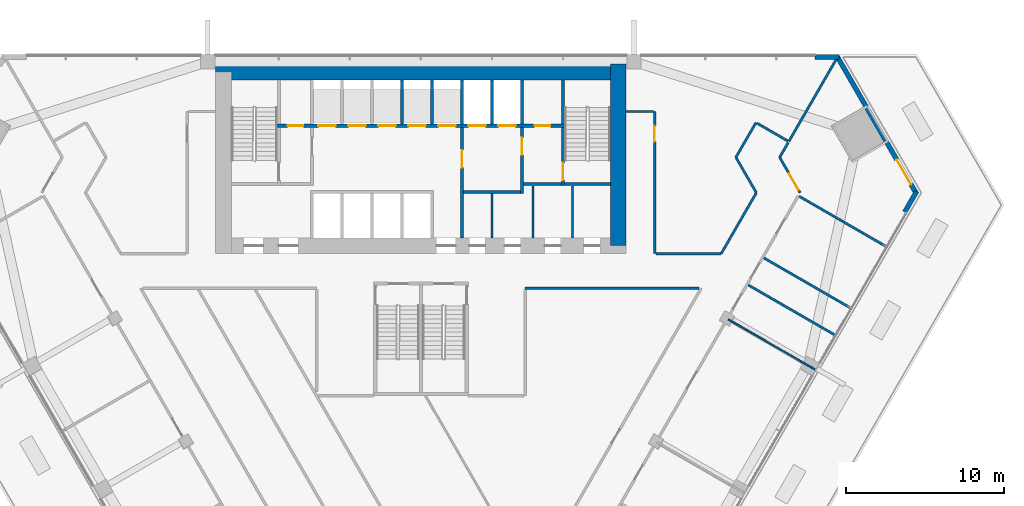
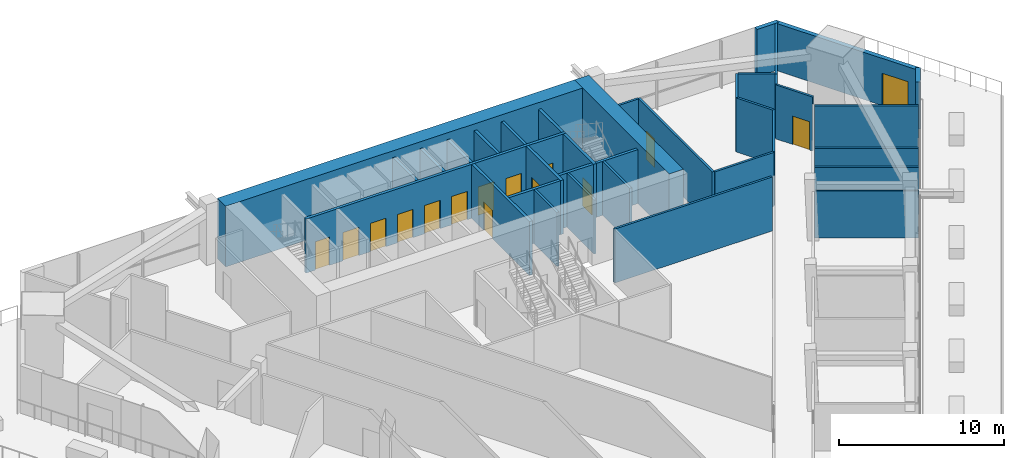
# One storey, part 11 of 15: 36 walls, 15 doors, 15 openings.
"""IFC4 building model written with IfcOpenShell, lengths in metres."""

import ifcopenshell
import ifcopenshell.guid

model = None  # the IFC model being written
_history = None  # IfcOwnerHistory: only IFC2X3 demands one
_inside = {}  # id of a spatial element -> (the spatial element, [elements in it])
_under = {}  # id of a project, library or spatial element -> (it, [spatial elements below it])
_declared = {}  # id of a project -> (the project, [libraries it declares])
_typed = {}  # id of a type object -> (the type object, [elements of that type])
_made_of = {}  # id of a material, layer set ... -> (it, [elements and type objects made of it])


def new_model(schema):
    """Start an empty IFC model of exactly this schema.

    Asked for "IFC4X3", IfcOpenShell would pick the latest addendum, in which some entities
    have other attributes; the version numbers below select the first issue.
    IFC2X3 requires an IfcOwnerHistory on every rooted entity: one is made here for all.
    """
    global model, _history
    if schema == "IFC4X3":
        model = ifcopenshell.file(schema_version=(4, 3, 0, 0))
    else:
        model = ifcopenshell.file(schema=schema)
    _inside.clear()
    _under.clear()
    _declared.clear()
    _typed.clear()
    _made_of.clear()
    _history = None
    if model.schema == "IFC2X3":
        org = make("IfcOrganization", Name="unknown")
        user = make(
            "IfcPersonAndOrganization",
            ThePerson=make("IfcPerson", FamilyName="unknown"),
            TheOrganization=org,
        )
        app = make(
            "IfcApplication",
            ApplicationDeveloper=org,
            Version="unknown",
            ApplicationFullName="unknown",
            ApplicationIdentifier="unknown",
        )
        _history = make(
            "IfcOwnerHistory",
            OwningUser=user,
            OwningApplication=app,
            ChangeAction="ADDED",
            CreationDate=0,
        )
    return model


def make(cls, **values):
    """One entity of the class cls with the attributes given. An attribute that is None is left unset."""
    return model.create_entity(
        cls, **{name: value for name, value in values.items() if value is not None}
    )


def rooted(cls, **values):
    """An entity with a GlobalId (a new one), such as an element, a storey or a relation."""
    return make(cls, GlobalId=ifcopenshell.guid.new(), OwnerHistory=_history, **values)


def si_unit(unit_type, name, prefix=None):
    """IfcSIUnit, for example si_unit("LENGTHUNIT", "METRE", prefix="MILLI")."""
    return make("IfcSIUnit", UnitType=unit_type, Prefix=prefix, Name=name)


def assignment(units):
    """IfcUnitAssignment: the units of a project."""
    return None if units is None else make("IfcUnitAssignment", Units=units)


def point(xyz):
    """IfcCartesianPoint."""
    return None if xyz is None else make("IfcCartesianPoint", Coordinates=xyz)


def direction(xyz):
    """IfcDirection."""
    return None if xyz is None else make("IfcDirection", DirectionRatios=xyz)


def frame(location, z_axis=None, x_axis=None):
    """IfcAxis2Placement3D, a coordinate frame: its origin and axes. An axis left out is left unset."""
    return make(
        "IfcAxis2Placement3D",
        Location=point(location),
        Axis=direction(z_axis),
        RefDirection=direction(x_axis),
    )


def frame_2d(location, x_axis=None):
    """IfcAxis2Placement2D, a coordinate frame in the plane: its origin and x axis."""
    return make(
        "IfcAxis2Placement2D", Location=point(location), RefDirection=direction(x_axis)
    )


def origin():
    """The frame at (0, 0, 0) with its axes left unset."""
    return frame((0.0, 0.0, 0.0))


def place(relative_to, where):
    """IfcLocalPlacement: puts the frame where relative to a parent placement (None: the world)."""
    return make(
        "IfcLocalPlacement", PlacementRelTo=relative_to, RelativePlacement=where
    )


def context(
    kind, dimensions, precision=None, world=None, true_north=None, identifier=None
):
    """IfcGeometricRepresentationContext, for example the 3D "Model" context."""
    return make(
        "IfcGeometricRepresentationContext",
        ContextIdentifier=identifier,
        ContextType=kind,
        CoordinateSpaceDimension=dimensions,
        Precision=precision,
        WorldCoordinateSystem=world,
        TrueNorth=true_north,
    )


def subcontext(parent, identifier, kind, view, scale=None):
    """IfcGeometricRepresentationSubContext, for example "Body" below "Model"."""
    return make(
        "IfcGeometricRepresentationSubContext",
        ContextIdentifier=identifier,
        ContextType=kind,
        ParentContext=parent,
        TargetScale=scale,
        TargetView=view,
    )


def project(units=None, contexts=None):
    """IfcProject with its units and contexts."""
    return rooted(
        "IfcProject",
        Name="project",
        RepresentationContexts=contexts,
        UnitsInContext=assignment(units),
    )


def spatial(cls, under=None, at=None, **own):
    """A site, building, storey or space (cls), placed at a placement, below another one or the project."""
    s = rooted(cls, ObjectPlacement=at, **own)
    if under is not None:
        _under.setdefault(under.id(), (under, []))[1].append(s)
    return s


def profile(cls, at=None, kind="AREA", **sizes):
    """A parametric profile (cls). Its sizes go by their IFC names, for example OverallWidth=200.0."""
    return make(cls, ProfileType=kind, Position=at, **sizes)


def rectangle(**sizes):
    """IfcRectangleProfileDef."""
    return profile("IfcRectangleProfileDef", **sizes)


def extrude(swept, where, along, depth):
    """IfcExtrudedAreaSolid: the profile swept, set in the frame where, extruded along a direction by depth."""
    return make(
        "IfcExtrudedAreaSolid",
        SweptArea=swept,
        Position=where,
        ExtrudedDirection=direction(along),
        Depth=depth,
    )


def shape(context_of_items, identifier, shape_type, items):
    """IfcShapeRepresentation: the items that make up one representation, for example the "Body"."""
    return make(
        "IfcShapeRepresentation",
        ContextOfItems=context_of_items,
        RepresentationIdentifier=identifier,
        RepresentationType=shape_type,
        Items=items,
    )


def material(Name=None, Category=None):
    """IfcMaterial."""
    return make("IfcMaterial", Name=Name, Category=Category)


def layer(
    of_material, thickness, ventilated=None, Name=None, Category=None, Priority=None
):
    """IfcMaterialLayer: one layer of a wall or slab, of a material (None: an air gap)."""
    return make(
        "IfcMaterialLayer",
        Material=of_material,
        LayerThickness=thickness,
        IsVentilated=ventilated,
        Name=Name,
        Category=Category,
        Priority=Priority,
    )


def layer_set(layers, Name=None):
    """IfcMaterialLayerSet."""
    return make("IfcMaterialLayerSet", MaterialLayers=layers, LayerSetName=Name)


def made_of(thing, what):
    """Note that an element or type object is made of a material, layer set ...; save() writes the relation."""
    if what is not None:
        _made_of.setdefault(what.id(), (what, []))[1].append(thing)
    return thing


def type_object(cls, material=None, **own):
    """A type object (cls), such as IfcWallType, which elements share."""
    return made_of(rooted(cls, **own), material)


def element(
    cls,
    number,
    at=None,
    inside=None,
    cuts=None,
    type_object=None,
    material=None,
    context=None,
    identifier="Body",
    shape_type=None,
    held_by="IfcProductDefinitionShape",
    body=None,
    shapes=None,
    **own,
):
    """One element of the class cls, such as IfcWall. Its Tag is "e" and its number.

    at: its placement. inside: the storey or other place that contains it. cuts: it is an
    opening in that element (IfcRelVoidsElement). A single representation is given by context,
    identifier, shape_type and body (its items); several are given by shapes. held_by: the class
    of the entity that holds the representations. save() writes the other relations.
    """
    e = rooted(cls, Tag="e%d" % number, ObjectPlacement=at, **own)
    if body is not None:
        shapes = [shape(context, identifier, shape_type, body)]
    if shapes is not None:
        e.Representation = make(held_by, Representations=shapes)
    if inside is not None:
        _inside.setdefault(inside.id(), (inside, []))[1].append(e)
    if cuts is not None:
        rooted(
            "IfcRelVoidsElement", RelatingBuildingElement=cuts, RelatedOpeningElement=e
        )
    if type_object is not None:
        _typed.setdefault(type_object.id(), (type_object, []))[1].append(e)
    return made_of(e, material)


def fill(opening, filler):
    """IfcRelFillsElement: the door or window that sits in an opening."""
    return rooted(
        "IfcRelFillsElement",
        RelatingOpeningElement=opening,
        RelatedBuildingElement=filler,
    )


def aggregate(whole, parts):
    """IfcRelAggregates: a whole, such as a stair, and the parts it consists of."""
    return rooted("IfcRelAggregates", RelatingObject=whole, RelatedObjects=parts)


def save(model, path):
    """Write the relations noted so far, then the file.

    IfcRelAggregates (storeys below a building ...), IfcRelContainedInSpatialStructure (elements
    in a storey), IfcRelDefinesByType, IfcRelAssociatesMaterial and IfcRelDeclares: one each for
    every whole, place, type object, material and project.
    """
    for whole, parts in _under.values():
        aggregate(whole, parts)
    for where, things in _inside.values():
        rooted(
            "IfcRelContainedInSpatialStructure",
            RelatedElements=things,
            RelatingStructure=where,
        )
    for kind, things in _typed.values():
        rooted("IfcRelDefinesByType", RelatedObjects=things, RelatingType=kind)
    for what, things in _made_of.values():
        rooted("IfcRelAssociatesMaterial", RelatedObjects=things, RelatingMaterial=what)
    for by, libraries in _declared.values():
        rooted("IfcRelDeclares", RelatingContext=by, RelatedDefinitions=libraries)
    model.write(path)


model = new_model("IFC4")

# Units and contexts
model_context = context("Model", 3, precision=1e-05, world=origin(), true_north=direction((0.0, 1.0)))
body_context = subcontext(model_context, "Body", "Model", "MODEL_VIEW")
ifc_project = project(units=[si_unit("LENGTHUNIT", "METRE"), si_unit("AREAUNIT", "SQUARE_METRE"), si_unit("VOLUMEUNIT", "CUBIC_METRE"), si_unit("PLANEANGLEUNIT", "RADIAN"), si_unit("MASSUNIT", "GRAM", prefix="KILO")], contexts=[model_context])

# Site, building, storey
site_placement = place(None, origin())
site = spatial("IfcSite", under=ifc_project, at=site_placement, CompositionType="ELEMENT")
building_placement = place(site_placement, origin())
building = spatial("IfcBuilding", under=site, at=building_placement, Name="Altiplano Prism Tower", CompositionType="ELEMENT")
storey_placement = place(building_placement, frame((0.0, 0.0, 22.5)))
storey = spatial("IfcBuildingStorey", under=building, at=storey_placement, Name="L04", CompositionType="ELEMENT", Elevation=22.5)

# Walls
ifc_material_1 = material(Name="Concrete C70/85", Category="concrete")
ifc_layer_1 = layer(ifc_material_1, 1.0)
ifc_layer_set_1 = layer_set([ifc_layer_1], Name="Concrete C70/85")
wall_type_1 = type_object("IfcWallType", Name="Core wall 1000", PredefinedType="SHEAR", material=ifc_layer_set_1)
wall_1_placement = place(storey_placement, frame((97.5, 92.89990234375, 0.0), z_axis=(0.0, 0.0, 1.0), x_axis=(0.0, 1.0, 0.0)))
element("IfcWall", 1, at=wall_1_placement, inside=storey, type_object=wall_type_1, Name="Core wall E L04", PredefinedType="SHEAR", context=body_context, shape_type="SweptSolid", body=[
    extrude(rectangle(XDim=11.5, YDim=1.0, at=frame_2d((5.75, 0.0))), origin(), (0.0, 0.0, 1.0), 4.5),
])
wall_2_placement = place(storey_placement, frame((97.5, 103.89990234375, 0.0), z_axis=(0.0, 0.0, 1.0), x_axis=(-1.0, 0.0, 0.0)))
element("IfcWall", 2, at=wall_2_placement, inside=storey, type_object=wall_type_1, Name="Core wall N L04", PredefinedType="SHEAR", context=body_context, shape_type="SweptSolid", body=[
    extrude(rectangle(XDim=25.5, YDim=1.0, at=frame_2d((12.75, 0.0))), origin(), (0.0, 0.0, 1.0), 4.5),
])
ifc_material_2 = material(Name="Plasterboard on steel stud", Category="steel")
ifc_layer_2 = layer(ifc_material_2, 0.10009765625)
ifc_layer_set_2 = layer_set([ifc_layer_2], Name="Plasterboard on steel stud")
wall_type_2 = type_object("IfcWallType", Name="Partition 100 wet", PredefinedType="PARTITIONING", material=ifc_layer_set_2)
wall_3_placement = place(storey_placement, frame((109.949951171875, 85.068115234375, 0.0), z_axis=(0.0, 0.0, 1.0), x_axis=(-0.866015887322, 0.500016482634, 0.0)))
element("IfcWall", 3, at=wall_3_placement, inside=storey, type_object=wall_type_2, Name="Partition P03 L04 042", PredefinedType="PARTITIONING", context=body_context, shape_type="SweptSolid", body=[
    extrude(rectangle(XDim=6.324951171875, YDim=0.10009765625, at=frame_2d((3.16259765625, 0.0))), origin(), (0.0, 0.0, 1.0), 3.5),
])

# Wall, opening, door
ifc_layer_3 = layer(ifc_material_2, 0.14990234375)
ifc_layer_set_3 = layer_set([ifc_layer_3], Name="Plasterboard on steel stud")
wall_type_3 = type_object("IfcWallType", Name="Partition 150 corridor", PredefinedType="PARTITIONING", material=ifc_layer_set_3)
wall_4_placement = place(storey_placement, frame((109.019287109375, 96.25634765625, 0.0), z_axis=(0.0, 0.0, 1.0), x_axis=(-0.499939993713, 0.866060045659, 0.0)))
wall_4 = element("IfcWall", 4, at=wall_4_placement, inside=storey, type_object=wall_type_3, Name="Partition P06 L04 006", PredefinedType="PARTITIONING", context=body_context, shape_type="SweptSolid", body=[
    extrude(rectangle(XDim=2.590576171875, YDim=0.14990234375, at=frame_2d((1.29541015625, 0.0))), origin(), (0.0, 0.0, 1.0), 4.0),
])
opening_1_placement = place(wall_4_placement, frame((0.199951171875, 0.0, 0.0)))
opening_1 = element("IfcOpeningElement", 5, at=opening_1_placement, cuts=wall_4, Name="Opening D0127", PredefinedType="OPENING", context=body_context, shape_type="SweptSolid", body=[
    extrude(rectangle(XDim=1.199951171875, YDim=2.10009765625, at=frame_2d((0.60009765625, 1.050048828125))), frame((0.0, 0.08544921875, 0.0), z_axis=(0.0, -1.0, 0.0), x_axis=(1.0, 0.0, 0.0)), (0.0, 0.0, 1.0), 0.1708984375),
])
ifc_material_3 = material(Name="Timber", Category="wood")
door_type_1 = type_object("IfcDoorType", Name="Shared room door 1200 x 2100", OperationType="NOTDEFINED", PredefinedType="NOTDEFINED", material=ifc_material_3)
door_1_placement = place(opening_1_placement, origin())
door_1 = element("IfcDoor", 6, at=door_1_placement, inside=storey, type_object=door_type_1, Name="Door D0127", OperationType="SINGLE_SWING_RIGHT", OverallHeight=2.10009765625, OverallWidth=1.199951171875, PredefinedType="NOTDEFINED", context=body_context, shape_type="SweptSolid", body=[
    extrude(rectangle(XDim=1.199951171875, YDim=2.10009765625, at=frame_2d((0.60009765625, 1.050048828125))), frame((0.0, 0.02490234375, 0.0), z_axis=(0.0, -1.0, 0.0), x_axis=(1.0, 0.0, 0.0)), (0.0, 0.0, 1.0), 0.050048828125),
])
fill(opening_1, door_1)

# Walls
wall_5_placement = place(storey_placement, frame((107.72412109375, 98.5, 0.0), z_axis=(0.0, 0.0, 1.0), x_axis=(0.500002782129, 0.866023797515, 0.0)))
element("IfcWall", 7, at=wall_5_placement, inside=storey, type_object=wall_type_3, Name="Partition P06 L04 007", PredefinedType="PARTITIONING", context=body_context, shape_type="SweptSolid", body=[
    extrude(rectangle(XDim=1.08056640625, YDim=0.14990234375, at=frame_2d((0.540283203125, 0.0))), origin(), (0.0, 0.0, 1.0), 4.0),
])
wall_6_placement = place(storey_placement, frame((91.60107421875, 90.198974609375, 0.0), z_axis=(0.0, 0.0, 1.0), x_axis=(1.0, 0.0, 0.0)))
element("IfcWall", 8, at=wall_6_placement, inside=storey, type_object=wall_type_3, Name="Partition P06 L04 010", PredefinedType="PARTITIONING", context=body_context, shape_type="SweptSolid", body=[
    extrude(rectangle(XDim=11.018798828125, YDim=0.14990234375, at=frame_2d((5.50927734375, 0.0))), origin(), (0.0, 0.0, 1.0), 4.0),
])
wall_7_placement = place(storey_placement, frame((108.23681640625, 99.538330078125, 0.0), z_axis=(0.0, 0.0, 1.0), x_axis=(-0.866200031611, 0.499697413678, 0.0)))
element("IfcWall", 9, at=wall_7_placement, inside=storey, type_object=wall_type_3, Name="Partition P06 L04 015", PredefinedType="PARTITIONING", context=body_context, shape_type="SweptSolid", body=[
    extrude(rectangle(XDim=2.2509765625, YDim=0.14990234375, at=frame_2d((1.12548828125, 0.0))), origin(), (0.0, 0.0, 1.0), 4.0),
])
wall_8_placement = place(storey_placement, frame((106.22216796875, 100.700439453125, 0.0), z_axis=(0.0, 0.0, 1.0), x_axis=(-0.500024647231, -0.866011173231, 0.0)))
element("IfcWall", 10, at=wall_8_placement, inside=storey, type_object=wall_type_3, Name="Partition P06 L04 016", PredefinedType="PARTITIONING", context=body_context, shape_type="SweptSolid", body=[
    extrude(rectangle(XDim=2.540771484375, YDim=0.14990234375, at=frame_2d((1.2705078125, 0.0))), origin(), (0.0, 0.0, 1.0), 4.0),
])
wall_9_placement = place(storey_placement, frame((104.95166015625, 98.5, 0.0), z_axis=(0.0, 0.0, 1.0), x_axis=(0.500010673919, -0.866019241107, 0.0)))
element("IfcWall", 11, at=wall_9_placement, inside=storey, type_object=wall_type_3, Name="Partition P06 L04 017", PredefinedType="PARTITIONING", context=body_context, shape_type="SweptSolid", body=[
    extrude(rectangle(XDim=2.5908203125, YDim=0.14990234375, at=frame_2d((1.29541015625, 0.0))), origin(), (0.0, 0.0, 1.0), 4.0),
])
wall_10_placement = place(storey_placement, frame((106.2470703125, 96.25634765625, 0.0), z_axis=(0.0, 0.0, 1.0), x_axis=(-0.50001992892, -0.866013897511, 0.0)))
element("IfcWall", 12, at=wall_10_placement, inside=storey, type_object=wall_type_3, Name="Partition P06 L04 018", PredefinedType="PARTITIONING", context=body_context, shape_type="SweptSolid", body=[
    extrude(rectangle(XDim=4.451904296875, YDim=0.14990234375, at=frame_2d((2.22607421875, 0.0))), origin(), (0.0, 0.0, 1.0), 4.0),
])
wall_11_placement = place(storey_placement, frame((104.02099609375, 92.40087890625, 0.0), z_axis=(0.0, 0.0, 1.0), x_axis=(-1.0, 0.0, 0.0)))
element("IfcWall", 13, at=wall_11_placement, inside=storey, type_object=wall_type_3, Name="Partition P06 L04 019", PredefinedType="PARTITIONING", context=body_context, shape_type="SweptSolid", body=[
    extrude(rectangle(XDim=4.14501953125, YDim=0.14990234375, at=frame_2d((2.072509765625, 0.0))), origin(), (0.0, 0.0, 1.0), 4.0),
])

# Wall, opening, door
wall_12_placement = place(storey_placement, frame((99.801025390625, 92.40087890625, 0.0), z_axis=(0.0, 0.0, 1.0), x_axis=(0.0, 1.0, 0.0)))
wall_12 = element("IfcWall", 14, at=wall_12_placement, inside=storey, type_object=wall_type_3, Name="Partition P06 L04 020", PredefinedType="PARTITIONING", context=body_context, shape_type="SweptSolid", body=[
    extrude(rectangle(XDim=8.999267578125, YDim=0.14990234375, at=frame_2d((4.49951171875, 0.0))), origin(), (0.0, 0.0, 1.0), 4.0),
])
opening_2_placement = place(wall_12_placement, frame((7.097900390625, 0.0, 0.0)))
opening_2 = element("IfcOpeningElement", 15, at=opening_2_placement, cuts=wall_12, Name="Opening D0131", PredefinedType="OPENING", context=body_context, shape_type="SweptSolid", body=[
    extrude(rectangle(XDim=1.0, YDim=2.10009765625, at=frame_2d((0.5, 1.050048828125))), frame((0.0, 0.08544921875, 0.0), z_axis=(0.0, -1.0, 0.0), x_axis=(1.0, 0.0, 0.0)), (0.0, 0.0, 1.0), 0.1708984375),
])
door_type_2 = type_object("IfcDoorType", Name="Store door 1000 x 2100", OperationType="NOTDEFINED", PredefinedType="NOTDEFINED", material=ifc_material_3)
door_2_placement = place(opening_2_placement, origin())
door_2 = element("IfcDoor", 16, at=door_2_placement, inside=storey, type_object=door_type_2, Name="Door D0131", OperationType="SINGLE_SWING_LEFT", OverallHeight=2.10009765625, OverallWidth=1.0, PredefinedType="NOTDEFINED", context=body_context, shape_type="SweptSolid", body=[
    extrude(rectangle(XDim=1.0, YDim=2.10009765625, at=frame_2d((0.5, 1.050048828125))), frame((0.0, 0.02490234375, 0.0), z_axis=(0.0, -1.0, 0.0), x_axis=(1.0, 0.0, 0.0)), (0.0, 0.0, 1.0), 0.050048828125),
])
fill(opening_2, door_2)

# Walls
wall_13_placement = place(storey_placement, frame((99.72607421875, 101.400146484375, 0.0), z_axis=(0.0, 0.0, 1.0), x_axis=(-0.999999909973, 0.000424328109, 0.0)))
element("IfcWall", 17, at=wall_13_placement, inside=storey, type_object=wall_type_3, Name="Partition P06 L04 021", PredefinedType="PARTITIONING", context=body_context, shape_type="SweptSolid", body=[
    extrude(rectangle(XDim=1.72607421875, YDim=0.14990234375, at=frame_2d((0.863037109375, 0.0))), origin(), (0.0, 0.0, 1.0), 4.0),
])
ifc_layer_4 = layer(ifc_material_2, 0.14990234375)
ifc_layer_set_4 = layer_set([ifc_layer_4], Name="Plasterboard on steel stud")
wall_type_4 = type_object("IfcWallType", Name="Partition 150 party", PredefinedType="PARTITIONING", material=ifc_layer_set_4)
wall_14_placement = place(storey_placement, frame((111.224609375, 87.244140625, 0.0), z_axis=(0.0, 0.0, 1.0), x_axis=(-0.866031065609, 0.499990193304, 0.0)))
element("IfcWall", 18, at=wall_14_placement, inside=storey, type_object=wall_type_4, Name="Partition P01 L04 043", PredefinedType="PARTITIONING", context=body_context, shape_type="SweptSolid", body=[
    extrude(rectangle(XDim=6.341064453125, YDim=0.14990234375, at=frame_2d((3.17041015625, 0.0))), origin(), (0.0, 0.0, 1.0), 3.5),
])
for number, where, z_axis, x_axis, name in (
    (19, (112.199951171875, 88.96533203125, 0.0), (0.0, 0.0, 1.0), (-0.866032601554, 0.49998753289, 0.0), "Partition P01 L04 044"),
    (20, (114.449951171875, 92.8623046875, 0.0), (0.0, 0.0, 1.0), (-0.866015887322, 0.500016482634, 0.0), "Partition P01 L04 045"),
):
    element("IfcWall", number, at=place(storey_placement, frame(where, z_axis=z_axis, x_axis=x_axis)), inside=storey, type_object=wall_type_4, Name=name, PredefinedType="PARTITIONING", context=body_context, shape_type="SweptSolid", body=[
        extrude(rectangle(XDim=6.324951171875, YDim=0.14990234375, at=frame_2d((3.16259765625, 0.0))), origin(), (0.0, 0.0, 1.0), 3.5),
    ])
wall_15_placement = place(storey_placement, frame((111.419189453125, 104.89990234375, 0.0), z_axis=(0.0, 0.0, 1.0), x_axis=(-0.500013984911, -0.866017329442, 0.0)))
element("IfcWall", 21, at=wall_15_placement, inside=storey, type_object=wall_type_4, Name="Partition P01 L04 046", PredefinedType="PARTITIONING", context=body_context, shape_type="SweptSolid", body=[
    extrude(rectangle(XDim=6.234130859375, YDim=0.14990234375, at=frame_2d((3.1171875, 0.0))), origin(), (0.0, 0.0, 1.0), 3.5),
])
ifc_material_4 = material(Name="Fire-rated gypsum board partition")
ifc_layer_5 = layer(ifc_material_4, 0.14990234375)
ifc_layer_set_5 = layer_set([ifc_layer_5], Name="Fire-rated gypsum board partition")
wall_type_5 = type_object("IfcWallType", Name="Room partition 150", PredefinedType="PARTITIONING", material=ifc_layer_set_5)
wall_16_placement = place(storey_placement, frame((89.5, 93.39990234375, 0.0), z_axis=(0.0, 0.0, 1.0), x_axis=(0.0, 1.0, 0.0)))
element("IfcWall", 22, at=wall_16_placement, inside=storey, type_object=wall_type_5, Name="Room partition L04", PredefinedType="PARTITIONING", context=body_context, shape_type="SweptSolid", body=[
    extrude(rectangle(XDim=2.800048828125, YDim=0.14990234375, at=frame_2d((1.39990234375, 0.0))), origin(), (0.0, 0.0, 1.0), 4.0),
])
for number, where, z_axis, x_axis, name in (
    (23, (92.10009765625, 93.39990234375, 0.0), (0.0, 0.0, 1.0), (0.0, 1.0, 0.0), "Room partition L04"),
    (24, (94.60009765625, 93.39990234375, 0.0), (0.0, 0.0, 1.0), (0.0, 1.0, 0.0), "Room partition L04"),
):
    element("IfcWall", number, at=place(storey_placement, frame(where, z_axis=z_axis, x_axis=x_axis)), inside=storey, type_object=wall_type_5, Name=name, PredefinedType="PARTITIONING", context=body_context, shape_type="SweptSolid", body=[
        extrude(rectangle(XDim=3.300048828125, YDim=0.14990234375, at=frame_2d((1.64990234375, 0.0))), origin(), (0.0, 0.0, 1.0), 4.0),
    ])
ifc_material_5 = material(Name="Concrete C60/75", Category="concrete")
ifc_layer_6 = layer(ifc_material_5, 0.199951171875)
ifc_layer_set_6 = layer_set([ifc_layer_6], Name="Concrete C60/75")
wall_type_6 = type_object("IfcWallType", Name="Shaft wall 200", PredefinedType="SOLIDWALL", material=ifc_layer_set_6)
for number, where, z_axis, x_axis, name in (
    (25, (83.800048828125, 100.60009765625, 0.0), (0.0, 0.0, 1.0), (0.0, 1.0, 0.0), "Shaft wall L04"),
    (26, (85.699951171875, 100.60009765625, 0.0), (0.0, 0.0, 1.0), (0.0, 1.0, 0.0), "Shaft wall L04"),
    (27, (87.60009765625, 100.60009765625, 0.0), (0.0, 0.0, 1.0), (0.0, 1.0, 0.0), "Shaft wall L04"),
    (28, (89.5, 100.60009765625, 0.0), (0.0, 0.0, 1.0), (0.0, 1.0, 0.0), "Shaft wall L04"),
    (29, (91.39990234375, 100.60009765625, 0.0), (0.0, 0.0, 1.0), (0.0, 1.0, 0.0), "Shaft wall L04"),
):
    element("IfcWall", number, at=place(storey_placement, frame(where, z_axis=z_axis, x_axis=x_axis)), inside=storey, type_object=wall_type_6, Name=name, PredefinedType="SOLIDWALL", context=body_context, shape_type="SweptSolid", body=[
        extrude(rectangle(XDim=2.7998046875, YDim=0.199951171875, at=frame_2d((1.39990234375, 0.0))), origin(), (0.0, 0.0, 1.0), 4.0),
    ])

# Wall, opening, door
ifc_layer_7 = layer(ifc_material_5, 0.199951171875)
ifc_layer_set_7 = layer_set([ifc_layer_7], Name="Concrete C60/75")
wall_type_7 = type_object("IfcWallType", Name="Stair wall 200", PredefinedType="SOLIDWALL", material=ifc_layer_set_7)
wall_17_placement = place(storey_placement, frame((94.0, 96.699951171875, 0.0), z_axis=(0.0, 0.0, 1.0), x_axis=(0.0, 1.0, 0.0)))
wall_17 = element("IfcWall", 30, at=wall_17_placement, inside=storey, type_object=wall_type_7, Name="Stair wall L04", PredefinedType="SOLIDWALL", context=body_context, shape_type="SweptSolid", body=[
    extrude(rectangle(XDim=3.699951171875, YDim=0.199951171875, at=frame_2d((1.85009765625, 0.0))), origin(), (0.0, 0.0, 1.0), 4.0),
])
opening_3_placement = place(wall_17_placement, frame((0.35009765625, 0.0, 0.0)))
opening_3 = element("IfcOpeningElement", 31, at=opening_3_placement, cuts=wall_17, Name="Opening D2641", PredefinedType="OPENING", context=body_context, shape_type="SweptSolid", body=[
    extrude(rectangle(XDim=1.10009765625, YDim=2.10009765625, at=frame_2d((0.550048828125, 1.050048828125))), frame((0.0, 0.1103515625, 0.0), z_axis=(0.0, -1.0, 0.0), x_axis=(1.0, 0.0, 0.0)), (0.0, 0.0, 1.0), 0.220947265625),
])
ifc_material_6 = material(Name="Fire-rated steel door", Category="steel")
door_type_3 = type_object("IfcDoorType", Name="Stair fire door 1100 x 2100", OperationType="NOTDEFINED", PredefinedType="NOTDEFINED", material=ifc_material_6)
door_3_placement = place(opening_3_placement, origin())
door_3 = element("IfcDoor", 32, at=door_3_placement, inside=storey, type_object=door_type_3, Name="Stair fire door D2641", OperationType="SINGLE_SWING_LEFT", OverallHeight=2.10009765625, OverallWidth=1.10009765625, PredefinedType="NOTDEFINED", context=body_context, shape_type="SweptSolid", body=[
    extrude(rectangle(XDim=1.10009765625, YDim=2.10009765625, at=frame_2d((0.550048828125, 1.050048828125))), frame((0.0, 0.02490234375, 0.0), z_axis=(0.0, -1.0, 0.0), x_axis=(1.0, 0.0, 0.0)), (0.0, 0.0, 1.0), 0.050048828125),
])
fill(opening_3, door_3)

# Wall
wall_18_placement = place(storey_placement, frame((94.10009765625, 96.800048828125, 0.0), z_axis=(0.0, 0.0, 1.0), x_axis=(1.0, 0.0, 0.0)))
element("IfcWall", 33, at=wall_18_placement, inside=storey, type_object=wall_type_7, Name="Stair wall L04", PredefinedType="SOLIDWALL", context=body_context, shape_type="SweptSolid", body=[
    extrude(rectangle(XDim=2.89990234375, YDim=0.199951171875, at=frame_2d((1.449951171875, 0.0))), origin(), (0.0, 0.0, 1.0), 4.0),
])

# Wall, openings, doors
wall_19_placement = place(storey_placement, frame((75.89990234375, 100.5, 0.0), z_axis=(0.0, 0.0, 1.0), x_axis=(1.0, 0.0, 0.0)))
wall_19 = element("IfcWall", 34, at=wall_19_placement, inside=storey, type_object=wall_type_7, Name="Stair wall L04", PredefinedType="SOLIDWALL", context=body_context, shape_type="SweptSolid", body=[
    extrude(rectangle(XDim=18.2001953125, YDim=0.199951171875, at=frame_2d((9.10009765625, 0.0))), origin(), (0.0, 0.0, 1.0), 4.0),
])
opening_4_placement = place(wall_19_placement, frame((2.60009765625, 0.0, 0.0)))
opening_4 = element("IfcOpeningElement", 35, at=opening_4_placement, cuts=wall_19, Name="Opening LD-LL1-L04", PredefinedType="OPENING", context=body_context, shape_type="SweptSolid", body=[
    extrude(rectangle(XDim=1.10009765625, YDim=2.10009765625, at=frame_2d((0.550048828125, 1.050048828125))), frame((0.0, 0.1103515625, 0.0), z_axis=(0.0, -1.0, 0.0), x_axis=(1.0, 0.0, 0.0)), (0.0, 0.0, 1.0), 0.220947265625),
])
opening_5_placement = place(wall_19_placement, frame((4.5, 0.0, 0.0)))
opening_5 = element("IfcOpeningElement", 36, at=opening_5_placement, cuts=wall_19, Name="Opening LD-LL2-L04", PredefinedType="OPENING", context=body_context, shape_type="SweptSolid", body=[
    extrude(rectangle(XDim=1.10009765625, YDim=2.10009765625, at=frame_2d((0.550048828125, 1.050048828125))), frame((0.0, 0.1103515625, 0.0), z_axis=(0.0, -1.0, 0.0), x_axis=(1.0, 0.0, 0.0)), (0.0, 0.0, 1.0), 0.220947265625),
])
opening_6_placement = place(wall_19_placement, frame((6.39990234375, 0.0, 0.0)))
opening_6 = element("IfcOpeningElement", 37, at=opening_6_placement, cuts=wall_19, Name="Opening LD-LL3-L04", PredefinedType="OPENING", context=body_context, shape_type="SweptSolid", body=[
    extrude(rectangle(XDim=1.10009765625, YDim=2.10009765625, at=frame_2d((0.550048828125, 1.050048828125))), frame((0.0, 0.1103515625, 0.0), z_axis=(0.0, -1.0, 0.0), x_axis=(1.0, 0.0, 0.0)), (0.0, 0.0, 1.0), 0.220947265625),
])
opening_7_placement = place(wall_19_placement, frame((8.300048828125, 0.0, 0.0)))
opening_7 = element("IfcOpeningElement", 38, at=opening_7_placement, cuts=wall_19, Name="Opening LD-LL4-L04", PredefinedType="OPENING", context=body_context, shape_type="SweptSolid", body=[
    extrude(rectangle(XDim=1.10009765625, YDim=2.10009765625, at=frame_2d((0.550048828125, 1.050048828125))), frame((0.0, 0.1103515625, 0.0), z_axis=(0.0, -1.0, 0.0), x_axis=(1.0, 0.0, 0.0)), (0.0, 0.0, 1.0), 0.220947265625),
])
opening_8_placement = place(wall_19_placement, frame((10.199951171875, 0.0, 0.0)))
opening_8 = element("IfcOpeningElement", 39, at=opening_8_placement, cuts=wall_19, Name="Opening LD-LL5-L04", PredefinedType="OPENING", context=body_context, shape_type="SweptSolid", body=[
    extrude(rectangle(XDim=1.10009765625, YDim=2.10009765625, at=frame_2d((0.550048828125, 1.050048828125))), frame((0.0, 0.1103515625, 0.0), z_axis=(0.0, -1.0, 0.0), x_axis=(1.0, 0.0, 0.0)), (0.0, 0.0, 1.0), 0.220947265625),
])
opening_9_placement = place(wall_19_placement, frame((12.10009765625, 0.0, 0.0)))
opening_9 = element("IfcOpeningElement", 40, at=opening_9_placement, cuts=wall_19, Name="Opening LD-FF1-L04", PredefinedType="OPENING", context=body_context, shape_type="SweptSolid", body=[
    extrude(rectangle(XDim=1.10009765625, YDim=2.10009765625, at=frame_2d((0.550048828125, 1.050048828125))), frame((0.0, 0.1103515625, 0.0), z_axis=(0.0, -1.0, 0.0), x_axis=(1.0, 0.0, 0.0)), (0.0, 0.0, 1.0), 0.220947265625),
])
opening_10_placement = place(wall_19_placement, frame((14.0, 0.0, 0.0)))
opening_10 = element("IfcOpeningElement", 41, at=opening_10_placement, cuts=wall_19, Name="Opening LD-FF2-L04", PredefinedType="OPENING", context=body_context, shape_type="SweptSolid", body=[
    extrude(rectangle(XDim=1.10009765625, YDim=2.10009765625, at=frame_2d((0.550048828125, 1.050048828125))), frame((0.0, 0.1103515625, 0.0), z_axis=(0.0, -1.0, 0.0), x_axis=(1.0, 0.0, 0.0)), (0.0, 0.0, 1.0), 0.220947265625),
])
opening_11_placement = place(wall_19_placement, frame((0.64990234375, 0.0, 0.0)))
opening_11 = element("IfcOpeningElement", 42, at=opening_11_placement, cuts=wall_19, Name="Opening D2648", PredefinedType="OPENING", context=body_context, shape_type="SweptSolid", body=[
    extrude(rectangle(XDim=1.0, YDim=2.10009765625, at=frame_2d((0.5, 1.050048828125))), frame((0.0, 0.1103515625, 0.0), z_axis=(0.0, -1.0, 0.0), x_axis=(1.0, 0.0, 0.0)), (0.0, 0.0, 1.0), 0.220947265625),
])
opening_12_placement = place(wall_19_placement, frame((16.300048828125, 0.0, 0.0)))
opening_12 = element("IfcOpeningElement", 43, at=opening_12_placement, cuts=wall_19, Name="Opening D2649", PredefinedType="OPENING", context=body_context, shape_type="SweptSolid", body=[
    extrude(rectangle(XDim=1.0, YDim=2.10009765625, at=frame_2d((0.5, 1.050048828125))), frame((0.0, 0.1103515625, 0.0), z_axis=(0.0, -1.0, 0.0), x_axis=(1.0, 0.0, 0.0)), (0.0, 0.0, 1.0), 0.220947265625),
])
door_type_4 = type_object("IfcDoorType", Name="Core room door 1000 x 2100", OperationType="NOTDEFINED", PredefinedType="NOTDEFINED", material=ifc_material_6)
door_4_placement = place(opening_11_placement, origin())
door_4 = element("IfcDoor", 44, at=door_4_placement, inside=storey, type_object=door_type_4, Name="Core room door D2648", OperationType="SINGLE_SWING_LEFT", OverallHeight=2.10009765625, OverallWidth=1.0, PredefinedType="NOTDEFINED", context=body_context, shape_type="SweptSolid", body=[
    extrude(rectangle(XDim=1.0, YDim=2.10009765625, at=frame_2d((0.5, 1.050048828125))), frame((0.0, 0.02490234375, 0.0), z_axis=(0.0, -1.0, 0.0), x_axis=(1.0, 0.0, 0.0)), (0.0, 0.0, 1.0), 0.050048828125),
])
fill(opening_11, door_4)
door_5_placement = place(opening_12_placement, origin())
door_5 = element("IfcDoor", 45, at=door_5_placement, inside=storey, type_object=door_type_4, Name="Core room door D2649", OperationType="SINGLE_SWING_RIGHT", OverallHeight=2.10009765625, OverallWidth=1.0, PredefinedType="NOTDEFINED", context=body_context, shape_type="SweptSolid", body=[
    extrude(rectangle(XDim=1.0, YDim=2.10009765625, at=frame_2d((0.5, 1.050048828125))), frame((0.0, 0.02490234375, 0.0), z_axis=(0.0, -1.0, 0.0), x_axis=(1.0, 0.0, 0.0)), (0.0, 0.0, 1.0), 0.050048828125),
])
fill(opening_12, door_5)
ifc_material_7 = material(Name="Stainless steel landing door", Category="steel")
door_type_5 = type_object("IfcDoorType", Name="Landing door 1100 x 2100", OperationType="NOTDEFINED", PredefinedType="NOTDEFINED", material=ifc_material_7)
door_6_placement = place(opening_4_placement, origin())
door_6 = element("IfcDoor", 46, at=door_6_placement, inside=storey, type_object=door_type_5, Name="Landing doors LL1", OperationType="SLIDING_TO_RIGHT", OverallHeight=2.10009765625, OverallWidth=1.10009765625, PredefinedType="NOTDEFINED", context=body_context, shape_type="SweptSolid", body=[
    extrude(rectangle(XDim=1.10009765625, YDim=2.10009765625, at=frame_2d((0.550048828125, 1.050048828125))), frame((0.0, 0.02490234375, 0.0), z_axis=(0.0, -1.0, 0.0), x_axis=(1.0, 0.0, 0.0)), (0.0, 0.0, 1.0), 0.050048828125),
])
fill(opening_4, door_6)
door_7_placement = place(opening_5_placement, origin())
door_7 = element("IfcDoor", 47, at=door_7_placement, inside=storey, type_object=door_type_5, Name="Landing doors LL2", OperationType="SLIDING_TO_LEFT", OverallHeight=2.10009765625, OverallWidth=1.10009765625, PredefinedType="NOTDEFINED", context=body_context, shape_type="SweptSolid", body=[
    extrude(rectangle(XDim=1.10009765625, YDim=2.10009765625, at=frame_2d((0.550048828125, 1.050048828125))), frame((0.0, 0.02490234375, 0.0), z_axis=(0.0, -1.0, 0.0), x_axis=(1.0, 0.0, 0.0)), (0.0, 0.0, 1.0), 0.050048828125),
])
fill(opening_5, door_7)
door_8_placement = place(opening_6_placement, origin())
door_8 = element("IfcDoor", 48, at=door_8_placement, inside=storey, type_object=door_type_5, Name="Landing doors LL3", OperationType="SLIDING_TO_RIGHT", OverallHeight=2.10009765625, OverallWidth=1.10009765625, PredefinedType="NOTDEFINED", context=body_context, shape_type="SweptSolid", body=[
    extrude(rectangle(XDim=1.10009765625, YDim=2.10009765625, at=frame_2d((0.550048828125, 1.050048828125))), frame((0.0, 0.02490234375, 0.0), z_axis=(0.0, -1.0, 0.0), x_axis=(1.0, 0.0, 0.0)), (0.0, 0.0, 1.0), 0.050048828125),
])
fill(opening_6, door_8)
door_9_placement = place(opening_7_placement, origin())
door_9 = element("IfcDoor", 49, at=door_9_placement, inside=storey, type_object=door_type_5, Name="Landing doors LL4", OperationType="SLIDING_TO_LEFT", OverallHeight=2.10009765625, OverallWidth=1.10009765625, PredefinedType="NOTDEFINED", context=body_context, shape_type="SweptSolid", body=[
    extrude(rectangle(XDim=1.10009765625, YDim=2.10009765625, at=frame_2d((0.550048828125, 1.050048828125))), frame((0.0, 0.02490234375, 0.0), z_axis=(0.0, -1.0, 0.0), x_axis=(1.0, 0.0, 0.0)), (0.0, 0.0, 1.0), 0.050048828125),
])
fill(opening_7, door_9)
door_10_placement = place(opening_8_placement, origin())
door_10 = element("IfcDoor", 50, at=door_10_placement, inside=storey, type_object=door_type_5, Name="Landing doors LL5", OperationType="SLIDING_TO_RIGHT", OverallHeight=2.10009765625, OverallWidth=1.10009765625, PredefinedType="NOTDEFINED", context=body_context, shape_type="SweptSolid", body=[
    extrude(rectangle(XDim=1.10009765625, YDim=2.10009765625, at=frame_2d((0.550048828125, 1.050048828125))), frame((0.0, 0.02490234375, 0.0), z_axis=(0.0, -1.0, 0.0), x_axis=(1.0, 0.0, 0.0)), (0.0, 0.0, 1.0), 0.050048828125),
])
fill(opening_8, door_10)
door_11_placement = place(opening_9_placement, origin())
door_11 = element("IfcDoor", 51, at=door_11_placement, inside=storey, type_object=door_type_5, Name="Landing doors FF1", OperationType="SLIDING_TO_RIGHT", OverallHeight=2.10009765625, OverallWidth=1.10009765625, PredefinedType="NOTDEFINED", context=body_context, shape_type="SweptSolid", body=[
    extrude(rectangle(XDim=1.10009765625, YDim=2.10009765625, at=frame_2d((0.550048828125, 1.050048828125))), frame((0.0, 0.02490234375, 0.0), z_axis=(0.0, -1.0, 0.0), x_axis=(1.0, 0.0, 0.0)), (0.0, 0.0, 1.0), 0.050048828125),
])
fill(opening_9, door_11)
door_12_placement = place(opening_10_placement, origin())
door_12 = element("IfcDoor", 52, at=door_12_placement, inside=storey, type_object=door_type_5, Name="Landing doors FF2", OperationType="SLIDING_TO_LEFT", OverallHeight=2.10009765625, OverallWidth=1.10009765625, PredefinedType="NOTDEFINED", context=body_context, shape_type="SweptSolid", body=[
    extrude(rectangle(XDim=1.10009765625, YDim=2.10009765625, at=frame_2d((0.550048828125, 1.050048828125))), frame((0.0, 0.02490234375, 0.0), z_axis=(0.0, -1.0, 0.0), x_axis=(1.0, 0.0, 0.0)), (0.0, 0.0, 1.0), 0.050048828125),
])
fill(opening_10, door_12)

# Walls
wall_20_placement = place(storey_placement, frame((94.0, 100.60009765625, 0.0), z_axis=(0.0, 0.0, 1.0), x_axis=(0.0, 1.0, 0.0)))
element("IfcWall", 53, at=wall_20_placement, inside=storey, type_object=wall_type_7, Name="Stair wall L04", PredefinedType="SOLIDWALL", context=body_context, shape_type="SweptSolid", body=[
    extrude(rectangle(XDim=2.7998046875, YDim=0.199951171875, at=frame_2d((1.39990234375, 0.0))), origin(), (0.0, 0.0, 1.0), 4.0),
])
ifc_material_8 = material(Name="Concrete C40", Category="concrete")
ifc_layer_8 = layer(ifc_material_8, 0.300048828125)
ifc_layer_set_8 = layer_set([ifc_layer_8], Name="Concrete C40")
wall_type_8 = type_object("IfcWallType", Name="Stone-clad external wall 300", PredefinedType="SOLIDWALL", material=ifc_layer_set_8)
for number, where, z_axis, x_axis, name in (
    (54, (109.976806640625, 104.85009765625, 0.0), (0.0, 0.0, 1.0), (1.0, 0.0, 0.0), "External wall north face L04"),
    (55, (116.39501953125, 96.33154296875, 0.0), (0.0, 0.0, 1.0), (-0.499990139034, -0.866031096941, 0.0), "External wall south-east face L04"),
):
    element("IfcWall", number, at=place(storey_placement, frame(where, z_axis=z_axis, x_axis=x_axis)), inside=storey, type_object=wall_type_8, Name=name, PredefinedType="SOLIDWALL", context=body_context, shape_type="SweptSolid", body=[
        extrude(rectangle(XDim=1.5, YDim=0.300048828125, at=frame_2d((0.75, 0.0))), origin(), (0.0, 0.0, 1.0), 3.5),
    ])

# Wall, opening, door
wall_21_placement = place(storey_placement, frame((111.346923828125, 104.925048828125, 0.0), z_axis=(0.0, 0.0, 1.0), x_axis=(0.499995964007, -0.866027733953, 0.0)))
wall_21 = element("IfcWall", 56, at=wall_21_placement, inside=storey, type_object=wall_type_8, Name="External wall north-east chamfer L04", PredefinedType="SOLIDWALL", context=body_context, shape_type="SweptSolid", body=[
    extrude(rectangle(XDim=10.09619140625, YDim=0.300048828125, at=frame_2d((5.048095703125, 0.0))), origin(), (0.0, 0.0, 1.0), 3.5),
])
opening_13_placement = place(wall_21_placement, frame((7.59619140625, 0.0, 0.0)))
opening_13 = element("IfcOpeningElement", 57, at=opening_13_placement, cuts=wall_21, Name="Opening D2566", PredefinedType="OPENING", context=body_context, shape_type="SweptSolid", body=[
    extrude(rectangle(XDim=1.800048828125, YDim=2.39990234375, at=frame_2d((0.89990234375, 1.199951171875))), frame((0.0, 0.16064453125, 0.0), z_axis=(0.0, -1.0, 0.0), x_axis=(1.0, 0.0, 0.0)), (0.0, 0.0, 1.0), 0.321044921875),
])
ifc_material_9 = material(Name="Glass", Category="glass")
door_type_6 = type_object("IfcDoorType", Name="Terrace door 1800 x 2400", OperationType="NOTDEFINED", PredefinedType="NOTDEFINED", material=ifc_material_9)
door_13_placement = place(opening_13_placement, origin())
door_13 = element("IfcDoor", 58, at=door_13_placement, inside=storey, type_object=door_type_6, Name="Terrace door", OperationType="DOUBLE_DOOR_SINGLE_SWING", OverallHeight=2.39990234375, OverallWidth=1.800048828125, PredefinedType="NOTDEFINED", context=body_context, shape_type="SweptSolid", body=[
    extrude(rectangle(XDim=1.800048828125, YDim=2.39990234375, at=frame_2d((0.89990234375, 1.199951171875))), frame((0.0, 0.02490234375, 0.0), z_axis=(0.0, -1.0, 0.0), x_axis=(1.0, 0.0, 0.0)), (0.0, 0.0, 1.0), 0.050048828125),
])
fill(opening_13, door_13)

ifc_layer_9 = layer(ifc_material_5, 0.199951171875)
ifc_layer_set_9 = layer_set([ifc_layer_9], Name="Concrete C60/75")
wall_type_9 = type_object("IfcWallType", Name="Vestibule wall 200", PredefinedType="PARTITIONING", material=ifc_layer_set_9)
wall_22_placement = place(storey_placement, frame((87.60009765625, 93.39990234375, 0.0), z_axis=(0.0, 0.0, 1.0), x_axis=(0.0, 1.0, 0.0)))
wall_22 = element("IfcWall", 59, at=wall_22_placement, inside=storey, type_object=wall_type_9, Name="Vestibule wall L04", PredefinedType="PARTITIONING", context=body_context, shape_type="SweptSolid", body=[
    extrude(rectangle(XDim=7.0, YDim=0.199951171875, at=frame_2d((3.5, 0.0))), origin(), (0.0, 0.0, 1.0), 4.0),
])
opening_14_placement = place(wall_22_placement, frame((4.449951171875, 0.0, 0.0)))
opening_14 = element("IfcOpeningElement", 60, at=opening_14_placement, cuts=wall_22, Name="Opening D2643", PredefinedType="OPENING", context=body_context, shape_type="SweptSolid", body=[
    extrude(rectangle(XDim=1.10009765625, YDim=2.10009765625, at=frame_2d((0.550048828125, 1.050048828125))), frame((0.0, 0.1103515625, 0.0), z_axis=(0.0, -1.0, 0.0), x_axis=(1.0, 0.0, 0.0)), (0.0, 0.0, 1.0), 0.220947265625),
])
door_type_7 = type_object("IfcDoorType", Name="Vestibule fire door 1100 x 2100", OperationType="NOTDEFINED", PredefinedType="NOTDEFINED", material=ifc_material_6)
door_14_placement = place(opening_14_placement, origin())
door_14 = element("IfcDoor", 61, at=door_14_placement, inside=storey, type_object=door_type_7, Name="Vestibule fire door D2643", OperationType="SINGLE_SWING_RIGHT", OverallHeight=2.10009765625, OverallWidth=1.10009765625, PredefinedType="NOTDEFINED", context=body_context, shape_type="SweptSolid", body=[
    extrude(rectangle(XDim=1.10009765625, YDim=2.10009765625, at=frame_2d((0.550048828125, 1.050048828125))), frame((0.0, 0.02490234375, 0.0), z_axis=(0.0, -1.0, 0.0), x_axis=(1.0, 0.0, 0.0)), (0.0, 0.0, 1.0), 0.050048828125),
])
fill(opening_14, door_14)

# Wall
wall_23_placement = place(storey_placement, frame((87.699951171875, 96.300048828125, 0.0), z_axis=(0.0, 0.0, 1.0), x_axis=(1.0, 0.0, 0.0)))
element("IfcWall", 62, at=wall_23_placement, inside=storey, type_object=wall_type_9, Name="Vestibule wall L04", PredefinedType="PARTITIONING", context=body_context, shape_type="SweptSolid", body=[
    extrude(rectangle(XDim=3.60009765625, YDim=0.199951171875, at=frame_2d((1.800048828125, 0.0))), origin(), (0.0, 0.0, 1.0), 4.0),
])

# Wall, opening, door
wall_24_placement = place(storey_placement, frame((91.39990234375, 96.199951171875, 0.0), z_axis=(0.0, 0.0, 1.0), x_axis=(0.0, 1.0, 0.0)))
wall_24 = element("IfcWall", 63, at=wall_24_placement, inside=storey, type_object=wall_type_9, Name="Vestibule wall L04", PredefinedType="PARTITIONING", context=body_context, shape_type="SweptSolid", body=[
    extrude(rectangle(XDim=4.199951171875, YDim=0.199951171875, at=frame_2d((2.10009765625, 0.0))), origin(), (0.0, 0.0, 1.0), 4.0),
])
opening_15_placement = place(wall_24_placement, frame((2.449951171875, 0.0, 0.0)))
opening_15 = element("IfcOpeningElement", 64, at=opening_15_placement, cuts=wall_24, Name="Opening D2644", PredefinedType="OPENING", context=body_context, shape_type="SweptSolid", body=[
    extrude(rectangle(XDim=1.10009765625, YDim=2.10009765625, at=frame_2d((0.550048828125, 1.050048828125))), frame((0.0, 0.1103515625, 0.0), z_axis=(0.0, -1.0, 0.0), x_axis=(1.0, 0.0, 0.0)), (0.0, 0.0, 1.0), 0.220947265625),
])
door_15_placement = place(opening_15_placement, origin())
door_15 = element("IfcDoor", 65, at=door_15_placement, inside=storey, type_object=door_type_7, Name="Vestibule fire door D2644", OperationType="SINGLE_SWING_LEFT", OverallHeight=2.10009765625, OverallWidth=1.10009765625, PredefinedType="NOTDEFINED", context=body_context, shape_type="SweptSolid", body=[
    extrude(rectangle(XDim=1.10009765625, YDim=2.10009765625, at=frame_2d((0.550048828125, 1.050048828125))), frame((0.0, 0.02490234375, 0.0), z_axis=(0.0, -1.0, 0.0), x_axis=(1.0, 0.0, 0.0)), (0.0, 0.0, 1.0), 0.050048828125),
])
fill(opening_15, door_15)

# Wall
wall_25_placement = place(storey_placement, frame((91.5, 96.800048828125, 0.0), z_axis=(0.0, 0.0, 1.0), x_axis=(1.0, 0.0, 0.0)))
element("IfcWall", 66, at=wall_25_placement, inside=storey, type_object=wall_type_9, Name="Vestibule wall L04", PredefinedType="PARTITIONING", context=body_context, shape_type="SweptSolid", body=[
    extrude(rectangle(XDim=2.39990234375, YDim=0.199951171875, at=frame_2d((1.199951171875, 0.0))), origin(), (0.0, 0.0, 1.0), 4.0),
])

save(model, "model.ifc")
